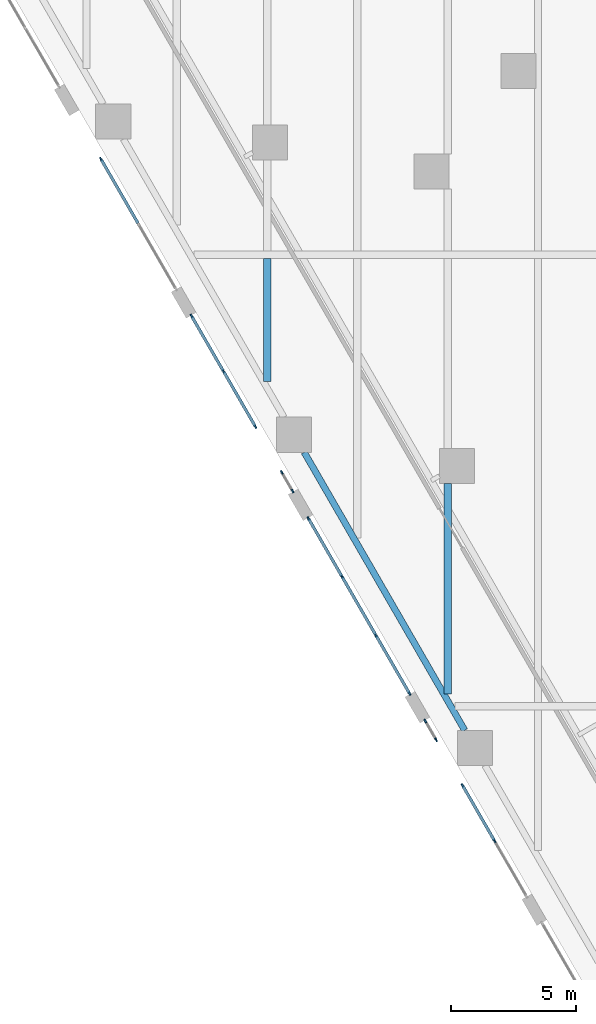
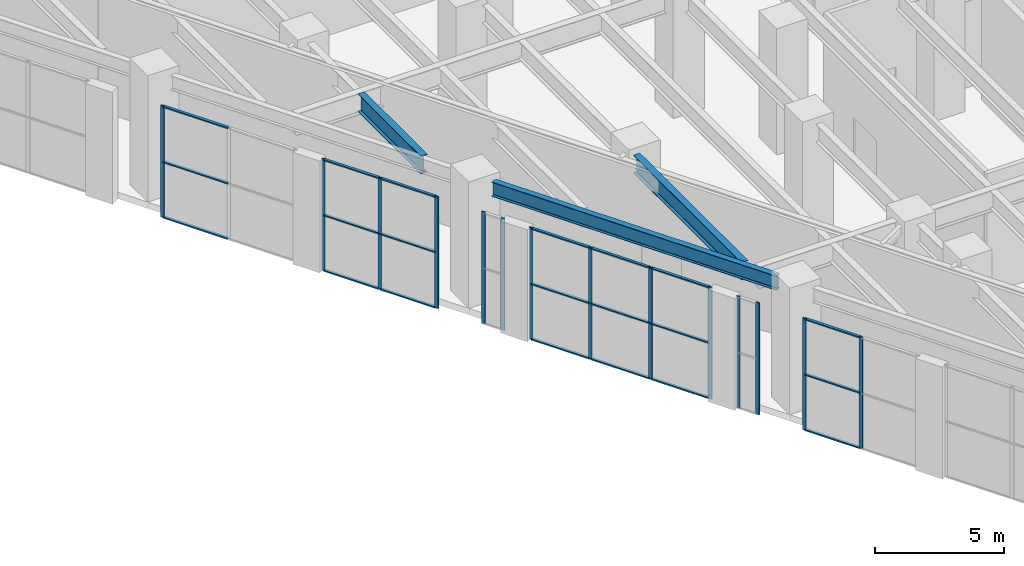
# One storey, part 6 of 37: 35 members, 3 beams, 6 elements without a shape of their own.
"""IFC4 building model written with IfcOpenShell, lengths in metres."""

from ifc_helpers import new_model, si_unit, direction, frame, origin, origin_2d, place, context, subcontext, project, spatial, rectangle, i_section, extrude, material, material_profile, profile_set, type_object, element, aggregate, save


model = new_model("IFC4")

# Units and contexts
model_context = context("Model", 3, precision=1e-05, world=origin(), true_north=direction((0.0, 1.0)))
body_context = subcontext(model_context, "Body", "Model", "MODEL_VIEW")
ifc_project = project(units=[si_unit("LENGTHUNIT", "METRE"), si_unit("AREAUNIT", "SQUARE_METRE"), si_unit("VOLUMEUNIT", "CUBIC_METRE"), si_unit("PLANEANGLEUNIT", "RADIAN"), si_unit("MASSUNIT", "GRAM", prefix="KILO")], contexts=[model_context])

# Site, building, storey
site_placement = place(None, origin())
site = spatial("IfcSite", under=ifc_project, at=site_placement, CompositionType="ELEMENT")
building_placement = place(site_placement, origin())
building = spatial("IfcBuilding", under=site, at=building_placement, Name="Aloe Facet Convention Tower", CompositionType="ELEMENT")
storey_placement = place(building_placement, frame((0.0, 0.0, 7.5)))
storey = spatial("IfcBuildingStorey", under=building, at=storey_placement, Name="L01", CompositionType="ELEMENT", Elevation=7.5)

# Curtain wall, member
ifc_material_1 = material(Name="Aluminium, anodised", Category="aluminium")
curtain_wall_type = type_object("IfcCurtainWallType", Name="EV-CW-SHOP", PredefinedType="USERDEFINED", material=ifc_material_1)
curtain_wall_1_placement = place(storey_placement, origin())
curtain_wall_1 = element("IfcCurtainWall", 1, at=curtain_wall_1_placement, inside=storey, type_object=curtain_wall_type, Name="CW-L01-W08", ObjectType="STICK SHOPFRONT GLAZING", PredefinedType="USERDEFINED")
ifc_material_2 = material(Name="Aluminium, anodised", Category="aluminium")
ifc_material_profile_1 = material_profile(ifc_material_2, rectangle(XDim=0.06005859375, YDim=0.159912109375, at=origin_2d()), Name="AL 60x160")
ifc_profile_set_1 = profile_set([ifc_material_profile_1], Name="Aluminium, anodised")
member_type_1 = type_object("IfcMemberType", Name="EV-MULL-SHOP", PredefinedType="MULLION", material=ifc_profile_set_1)
member_1_placement = place(storey_placement, frame((40.975830078125, 102.812255859375, -0.300048828125), z_axis=(0.0, 0.0, 1.0), x_axis=(0.866025403828, 0.499999999924, 0.0)))
member_1 = element("IfcMember", 2, at=member_1_placement, type_object=member_type_1, Name="CW-L01-W08 mullion 1", PredefinedType="MULLION", context=body_context, shape_type="SweptSolid", body=[
    extrude(rectangle(XDim=0.06005859375, YDim=0.159912109375, at=origin_2d()), origin(), (0.0, 0.0, 1.0), 5.3125),
])

# Curtain wall, members
curtain_wall_2_placement = place(storey_placement, origin())
curtain_wall_2 = element("IfcCurtainWall", 3, at=curtain_wall_2_placement, inside=storey, type_object=curtain_wall_type, Name="CW-L01-W10-1", ObjectType="STICK SHOPFRONT GLAZING", PredefinedType="USERDEFINED")
member_2_placement = place(storey_placement, frame((44.5849609375, 96.56103515625, -0.300048828125), z_axis=(0.0, 0.0, 1.0), x_axis=(0.866025403715, 0.500000000121, 0.0)))
member_2 = element("IfcMember", 4, at=member_2_placement, type_object=member_type_1, Name="CW-L01-W10-1 mullion 1", PredefinedType="MULLION", context=body_context, shape_type="SweptSolid", body=[
    extrude(rectangle(XDim=0.06005859375, YDim=0.159912109375, at=origin_2d()), origin(), (0.0, 0.0, 1.0), 5.3125),
])
member_3_placement = place(storey_placement, frame((45.857177734375, 94.357421875, -0.300048828125), z_axis=(0.0, 0.0, 1.0), x_axis=(0.866025403715, 0.500000000121, 0.0)))
member_3 = element("IfcMember", 5, at=member_3_placement, type_object=member_type_1, Name="CW-L01-W10-1 mullion 2", PredefinedType="MULLION", context=body_context, shape_type="SweptSolid", body=[
    extrude(rectangle(XDim=0.06005859375, YDim=0.159912109375, at=origin_2d()), origin(), (0.0, 0.0, 1.0), 5.3125),
])
member_4_placement = place(storey_placement, frame((47.12939453125, 92.15380859375, -0.300048828125), z_axis=(0.0, 0.0, 1.0), x_axis=(0.866025403715, 0.500000000121, 0.0)))
member_4 = element("IfcMember", 6, at=member_4_placement, type_object=member_type_1, Name="CW-L01-W10-1 mullion 3", PredefinedType="MULLION", context=body_context, shape_type="SweptSolid", body=[
    extrude(rectangle(XDim=0.06005859375, YDim=0.159912109375, at=origin_2d()), origin(), (0.0, 0.0, 1.0), 5.3125),
])

curtain_wall_3_placement = place(storey_placement, origin())
curtain_wall_3 = element("IfcCurtainWall", 7, at=curtain_wall_3_placement, inside=storey, type_object=curtain_wall_type, Name="CW-L01-W10-2", ObjectType="STICK SHOPFRONT GLAZING", PredefinedType="USERDEFINED")
member_5_placement = place(storey_placement, frame((48.18408203125, 90.327392578125, -0.300048828125), z_axis=(0.0, 0.0, 1.0), x_axis=(0.866025403872, 0.499999999849, 0.0)))
member_5 = element("IfcMember", 8, at=member_5_placement, type_object=member_type_1, Name="CW-L01-W10-2 mullion 1", PredefinedType="MULLION", context=body_context, shape_type="SweptSolid", body=[
    extrude(rectangle(XDim=0.06005859375, YDim=0.159912109375, at=origin_2d()), origin(), (0.0, 0.0, 1.0), 5.3125),
])
member_6_placement = place(storey_placement, frame((48.61572265625, 89.57958984375, -0.300048828125), z_axis=(0.0, 0.0, 1.0), x_axis=(0.866025403872, 0.499999999849, 0.0)))
member_6 = element("IfcMember", 9, at=member_6_placement, type_object=member_type_1, Name="CW-L01-W10-2 mullion 2", PredefinedType="MULLION", context=body_context, shape_type="SweptSolid", body=[
    extrude(rectangle(XDim=0.06005859375, YDim=0.159912109375, at=origin_2d()), origin(), (0.0, 0.0, 1.0), 5.3125),
])
aggregate(curtain_wall_3, [member_5, member_6])

curtain_wall_4_placement = place(storey_placement, origin())
curtain_wall_4 = element("IfcCurtainWall", 10, at=curtain_wall_4_placement, inside=storey, type_object=curtain_wall_type, Name="CW-L01-W12", ObjectType="STICK SHOPFRONT GLAZING", PredefinedType="USERDEFINED")
member_7_placement = place(storey_placement, frame((49.245849609375, 88.488525390625, -0.300048828125), z_axis=(0.0, 0.0, 1.0), x_axis=(0.866025403776, 0.500000000015, 0.0)))
member_7 = element("IfcMember", 11, at=member_7_placement, type_object=member_type_1, Name="CW-L01-W12 mullion 1", PredefinedType="MULLION", context=body_context, shape_type="SweptSolid", body=[
    extrude(rectangle(XDim=0.06005859375, YDim=0.159912109375, at=origin_2d()), origin(), (0.0, 0.0, 1.0), 5.3125),
])
member_8_placement = place(storey_placement, frame((50.584228515625, 86.169921875, -0.300048828125), z_axis=(0.0, 0.0, 1.0), x_axis=(0.866025403776, 0.500000000015, 0.0)))
member_8 = element("IfcMember", 12, at=member_8_placement, type_object=member_type_1, Name="CW-L01-W12 mullion 2", PredefinedType="MULLION", context=body_context, shape_type="SweptSolid", body=[
    extrude(rectangle(XDim=0.06005859375, YDim=0.159912109375, at=origin_2d()), origin(), (0.0, 0.0, 1.0), 5.3125),
])
member_9_placement = place(storey_placement, frame((51.93798828125, 83.825439453125, -0.300048828125), z_axis=(0.0, 0.0, 1.0), x_axis=(0.866025403776, 0.500000000015, 0.0)))
member_9 = element("IfcMember", 13, at=member_9_placement, type_object=member_type_1, Name="CW-L01-W12 mullion 3", PredefinedType="MULLION", context=body_context, shape_type="SweptSolid", body=[
    extrude(rectangle(XDim=0.06005859375, YDim=0.159912109375, at=origin_2d()), origin(), (0.0, 0.0, 1.0), 5.3125),
])
member_10_placement = place(storey_placement, frame((53.2763671875, 81.507080078125, -0.300048828125), z_axis=(0.0, 0.0, 1.0), x_axis=(0.866025403776, 0.500000000015, 0.0)))
member_10 = element("IfcMember", 14, at=member_10_placement, type_object=member_type_1, Name="CW-L01-W12 mullion 4", PredefinedType="MULLION", context=body_context, shape_type="SweptSolid", body=[
    extrude(rectangle(XDim=0.06005859375, YDim=0.159912109375, at=origin_2d()), origin(), (0.0, 0.0, 1.0), 5.3125),
])

curtain_wall_5_placement = place(storey_placement, origin())
curtain_wall_5 = element("IfcCurtainWall", 15, at=curtain_wall_5_placement, inside=storey, type_object=curtain_wall_type, Name="CW-L01-W14-1", ObjectType="STICK SHOPFRONT GLAZING", PredefinedType="USERDEFINED")
member_11_placement = place(storey_placement, frame((53.906494140625, 80.416015625, -0.300048828125), z_axis=(0.0, 0.0, 1.0), x_axis=(0.866025403872, 0.499999999849, 0.0)))
member_11 = element("IfcMember", 16, at=member_11_placement, type_object=member_type_1, Name="CW-L01-W14-1 mullion 1", PredefinedType="MULLION", context=body_context, shape_type="SweptSolid", body=[
    extrude(rectangle(XDim=0.06005859375, YDim=0.159912109375, at=origin_2d()), origin(), (0.0, 0.0, 1.0), 5.3125),
])
member_12_placement = place(storey_placement, frame((54.337890625, 79.668701171875, -0.300048828125), z_axis=(0.0, 0.0, 1.0), x_axis=(0.866025403872, 0.499999999849, 0.0)))
member_12 = element("IfcMember", 17, at=member_12_placement, type_object=member_type_1, Name="CW-L01-W14-1 mullion 2", PredefinedType="MULLION", context=body_context, shape_type="SweptSolid", body=[
    extrude(rectangle(XDim=0.06005859375, YDim=0.159912109375, at=origin_2d()), origin(), (0.0, 0.0, 1.0), 5.3125),
])
aggregate(curtain_wall_5, [member_11, member_12])

curtain_wall_6_placement = place(storey_placement, origin())
curtain_wall_6 = element("IfcCurtainWall", 18, at=curtain_wall_6_placement, inside=storey, type_object=curtain_wall_type, Name="CW-L01-W14-2", ObjectType="STICK SHOPFRONT GLAZING", PredefinedType="USERDEFINED")
member_13_placement = place(storey_placement, frame((55.392333984375, 77.842041015625, -0.300048828125), z_axis=(0.0, 0.0, 1.0), x_axis=(0.866025403767, 0.50000000003, 0.0)))
member_13 = element("IfcMember", 19, at=member_13_placement, type_object=member_type_1, Name="CW-L01-W14-2 mullion 1", PredefinedType="MULLION", context=body_context, shape_type="SweptSolid", body=[
    extrude(rectangle(XDim=0.06005859375, YDim=0.159912109375, at=origin_2d()), origin(), (0.0, 0.0, 1.0), 5.3125),
])
member_14_placement = place(storey_placement, frame((56.664794921875, 75.638427734375, -0.300048828125), z_axis=(0.0, 0.0, 1.0), x_axis=(0.866025403767, 0.50000000003, 0.0)))
member_14 = element("IfcMember", 20, at=member_14_placement, type_object=member_type_1, Name="CW-L01-W14-2 mullion 2", PredefinedType="MULLION", context=body_context, shape_type="SweptSolid", body=[
    extrude(rectangle(XDim=0.06005859375, YDim=0.159912109375, at=origin_2d()), origin(), (0.0, 0.0, 1.0), 5.3125),
])

# Member
ifc_material_3 = material(Name="Aluminium, anodised", Category="aluminium")
ifc_material_profile_2 = material_profile(ifc_material_3, rectangle(XDim=0.1201171875, YDim=0.06005859375, at=origin_2d()), Name="AL 120x60")
ifc_profile_set_2 = profile_set([ifc_material_profile_2], Name="Aluminium, anodised")
member_type_2 = type_object("IfcMemberType", Name="EV-TRAN-SHOP", PredefinedType="USERDEFINED", material=ifc_profile_set_2)
member_15_placement = place(storey_placement, frame((40.99072265625, 102.786376953125, -0.27001953125), z_axis=(0.500033742649, -0.86600592158, 0.0), x_axis=(0.86600592158, 0.500033742649, 0.0)))
member_15 = element("IfcMember", 21, at=member_15_placement, type_object=member_type_2, Name="CW-L01-W08 transom 1.1", ObjectType="TRANSOM", PredefinedType="USERDEFINED", context=body_context, shape_type="SweptSolid", body=[
    extrude(rectangle(XDim=0.1201171875, YDim=0.06005859375, at=origin_2d()), origin(), (0.0, 0.0, 1.0), 2.919189453125),
])

member_16_placement = place(storey_placement, frame((40.99072265625, 102.786376953125, 2.356201171875), z_axis=(0.500033742649, -0.86600592158, 0.0), x_axis=(0.86600592158, 0.500033742649, 0.0)))
member_16 = element("IfcMember", 22, at=member_16_placement, type_object=member_type_2, Name="CW-L01-W08 transom 1.2", ObjectType="TRANSOM", PredefinedType="USERDEFINED", context=body_context, shape_type="SweptSolid", body=[
    extrude(rectangle(XDim=0.1201171875, YDim=0.06005859375, at=origin_2d()), origin(), (0.0, 0.0, 1.0), 2.919189453125),
])

member_17_placement = place(storey_placement, frame((40.99072265625, 102.786376953125, 4.982421875), z_axis=(0.500033742649, -0.86600592158, 0.0), x_axis=(0.86600592158, 0.500033742649, 0.0)))
member_17 = element("IfcMember", 23, at=member_17_placement, type_object=member_type_2, Name="CW-L01-W08 transom 1.3", ObjectType="TRANSOM", PredefinedType="USERDEFINED", context=body_context, shape_type="SweptSolid", body=[
    extrude(rectangle(XDim=0.1201171875, YDim=0.06005859375, at=origin_2d()), origin(), (0.0, 0.0, 1.0), 2.919189453125),
])

aggregate(curtain_wall_1, [member_1, member_15, member_16, member_17])

member_18_placement = place(storey_placement, frame((44.60009765625, 96.534912109375, -0.27001953125), z_axis=(0.500028703312, -0.866008831286, 0.0), x_axis=(0.866008831286, 0.500028703312, 0.0)))
member_18 = element("IfcMember", 24, at=member_18_placement, type_object=member_type_2, Name="CW-L01-W10-1 transom 1.1", ObjectType="TRANSOM", PredefinedType="USERDEFINED", context=body_context, shape_type="SweptSolid", body=[
    extrude(rectangle(XDim=0.1201171875, YDim=0.06005859375, at=origin_2d()), origin(), (0.0, 0.0, 1.0), 2.484130859375),
])

member_19_placement = place(storey_placement, frame((44.60009765625, 96.534912109375, 2.356201171875), z_axis=(0.500028703312, -0.866008831286, 0.0), x_axis=(0.866008831286, 0.500028703312, 0.0)))
member_19 = element("IfcMember", 25, at=member_19_placement, type_object=member_type_2, Name="CW-L01-W10-1 transom 1.2", ObjectType="TRANSOM", PredefinedType="USERDEFINED", context=body_context, shape_type="SweptSolid", body=[
    extrude(rectangle(XDim=0.1201171875, YDim=0.06005859375, at=origin_2d()), origin(), (0.0, 0.0, 1.0), 2.484130859375),
])

member_20_placement = place(storey_placement, frame((44.60009765625, 96.534912109375, 4.982421875), z_axis=(0.500028703312, -0.866008831286, 0.0), x_axis=(0.866008831286, 0.500028703312, 0.0)))
member_20 = element("IfcMember", 26, at=member_20_placement, type_object=member_type_2, Name="CW-L01-W10-1 transom 1.3", ObjectType="TRANSOM", PredefinedType="USERDEFINED", context=body_context, shape_type="SweptSolid", body=[
    extrude(rectangle(XDim=0.1201171875, YDim=0.06005859375, at=origin_2d()), origin(), (0.0, 0.0, 1.0), 2.484130859375),
])

member_21_placement = place(storey_placement, frame((45.872314453125, 94.33154296875, -0.27001953125), z_axis=(0.499986149909, -0.86603339999, 0.0), x_axis=(0.86603339999, 0.499986149909, 0.0)))
member_21 = element("IfcMember", 27, at=member_21_placement, type_object=member_type_2, Name="CW-L01-W10-1 transom 2.1", ObjectType="TRANSOM", PredefinedType="USERDEFINED", context=body_context, shape_type="SweptSolid", body=[
    extrude(rectangle(XDim=0.1201171875, YDim=0.06005859375, at=origin_2d()), origin(), (0.0, 0.0, 1.0), 2.484375),
])

member_22_placement = place(storey_placement, frame((45.872314453125, 94.33154296875, 2.356201171875), z_axis=(0.499986149909, -0.86603339999, 0.0), x_axis=(0.86603339999, 0.499986149909, 0.0)))
member_22 = element("IfcMember", 28, at=member_22_placement, type_object=member_type_2, Name="CW-L01-W10-1 transom 2.2", ObjectType="TRANSOM", PredefinedType="USERDEFINED", context=body_context, shape_type="SweptSolid", body=[
    extrude(rectangle(XDim=0.1201171875, YDim=0.06005859375, at=origin_2d()), origin(), (0.0, 0.0, 1.0), 2.484375),
])

member_23_placement = place(storey_placement, frame((45.872314453125, 94.33154296875, 4.982421875), z_axis=(0.499986149909, -0.86603339999, 0.0), x_axis=(0.86603339999, 0.499986149909, 0.0)))
member_23 = element("IfcMember", 29, at=member_23_placement, type_object=member_type_2, Name="CW-L01-W10-1 transom 2.3", ObjectType="TRANSOM", PredefinedType="USERDEFINED", context=body_context, shape_type="SweptSolid", body=[
    extrude(rectangle(XDim=0.1201171875, YDim=0.06005859375, at=origin_2d()), origin(), (0.0, 0.0, 1.0), 2.484375),
])

aggregate(curtain_wall_2, [member_2, member_3, member_4, member_18, member_19, member_20, member_21, member_22, member_23])

member_24_placement = place(storey_placement, frame((49.2607421875, 88.46240234375, -0.27001953125), z_axis=(0.500032006216, -0.866006924198, 0.0), x_axis=(0.866006924198, 0.500032006216, 0.0)))
member_24 = element("IfcMember", 30, at=member_24_placement, type_object=member_type_2, Name="CW-L01-W12 transom 1.1", ObjectType="TRANSOM", PredefinedType="USERDEFINED", context=body_context, shape_type="SweptSolid", body=[
    extrude(rectangle(XDim=0.1201171875, YDim=0.06005859375, at=origin_2d()), origin(), (0.0, 0.0, 1.0), 2.616943359375),
])

member_25_placement = place(storey_placement, frame((49.2607421875, 88.46240234375, 2.356201171875), z_axis=(0.500032006216, -0.866006924198, 0.0), x_axis=(0.866006924198, 0.500032006216, 0.0)))
member_25 = element("IfcMember", 31, at=member_25_placement, type_object=member_type_2, Name="CW-L01-W12 transom 1.2", ObjectType="TRANSOM", PredefinedType="USERDEFINED", context=body_context, shape_type="SweptSolid", body=[
    extrude(rectangle(XDim=0.1201171875, YDim=0.06005859375, at=origin_2d()), origin(), (0.0, 0.0, 1.0), 2.616943359375),
])

member_26_placement = place(storey_placement, frame((49.2607421875, 88.46240234375, 4.982421875), z_axis=(0.500032006216, -0.866006924198, 0.0), x_axis=(0.866006924198, 0.500032006216, 0.0)))
member_26 = element("IfcMember", 32, at=member_26_placement, type_object=member_type_2, Name="CW-L01-W12 transom 1.3", ObjectType="TRANSOM", PredefinedType="USERDEFINED", context=body_context, shape_type="SweptSolid", body=[
    extrude(rectangle(XDim=0.1201171875, YDim=0.06005859375, at=origin_2d()), origin(), (0.0, 0.0, 1.0), 2.616943359375),
])

member_27_placement = place(storey_placement, frame((50.599365234375, 86.14404296875, -0.27001953125), z_axis=(0.499977931934, -0.866038144413, 0.0), x_axis=(0.866038144413, 0.499977931934, 0.0)))
member_27 = element("IfcMember", 33, at=member_27_placement, type_object=member_type_2, Name="CW-L01-W12 transom 2.1", ObjectType="TRANSOM", PredefinedType="USERDEFINED", context=body_context, shape_type="SweptSolid", body=[
    extrude(rectangle(XDim=0.1201171875, YDim=0.06005859375, at=origin_2d()), origin(), (0.0, 0.0, 1.0), 2.64697265625),
])

member_28_placement = place(storey_placement, frame((50.599365234375, 86.14404296875, 2.356201171875), z_axis=(0.499977931934, -0.866038144413, 0.0), x_axis=(0.866038144413, 0.499977931934, 0.0)))
member_28 = element("IfcMember", 34, at=member_28_placement, type_object=member_type_2, Name="CW-L01-W12 transom 2.2", ObjectType="TRANSOM", PredefinedType="USERDEFINED", context=body_context, shape_type="SweptSolid", body=[
    extrude(rectangle(XDim=0.1201171875, YDim=0.06005859375, at=origin_2d()), origin(), (0.0, 0.0, 1.0), 2.64697265625),
])

member_29_placement = place(storey_placement, frame((50.599365234375, 86.14404296875, 4.982421875), z_axis=(0.499977931934, -0.866038144413, 0.0), x_axis=(0.866038144413, 0.499977931934, 0.0)))
member_29 = element("IfcMember", 35, at=member_29_placement, type_object=member_type_2, Name="CW-L01-W12 transom 2.3", ObjectType="TRANSOM", PredefinedType="USERDEFINED", context=body_context, shape_type="SweptSolid", body=[
    extrude(rectangle(XDim=0.1201171875, YDim=0.06005859375, at=origin_2d()), origin(), (0.0, 0.0, 1.0), 2.64697265625),
])

member_30_placement = place(storey_placement, frame((51.952880859375, 83.799560546875, -0.27001953125), z_axis=(0.49999161165, -0.866030246746, 0.0), x_axis=(0.866030246746, 0.49999161165, 0.0)))
member_30 = element("IfcMember", 36, at=member_30_placement, type_object=member_type_2, Name="CW-L01-W12 transom 3.1", ObjectType="TRANSOM", PredefinedType="USERDEFINED", context=body_context, shape_type="SweptSolid", body=[
    extrude(rectangle(XDim=0.1201171875, YDim=0.06005859375, at=origin_2d()), origin(), (0.0, 0.0, 1.0), 2.6171875),
])

member_31_placement = place(storey_placement, frame((51.952880859375, 83.799560546875, 2.356201171875), z_axis=(0.49999161165, -0.866030246746, 0.0), x_axis=(0.866030246746, 0.49999161165, 0.0)))
member_31 = element("IfcMember", 37, at=member_31_placement, type_object=member_type_2, Name="CW-L01-W12 transom 3.2", ObjectType="TRANSOM", PredefinedType="USERDEFINED", context=body_context, shape_type="SweptSolid", body=[
    extrude(rectangle(XDim=0.1201171875, YDim=0.06005859375, at=origin_2d()), origin(), (0.0, 0.0, 1.0), 2.6171875),
])

member_32_placement = place(storey_placement, frame((51.952880859375, 83.799560546875, 4.982421875), z_axis=(0.49999161165, -0.866030246746, 0.0), x_axis=(0.866030246746, 0.49999161165, 0.0)))
member_32 = element("IfcMember", 38, at=member_32_placement, type_object=member_type_2, Name="CW-L01-W12 transom 3.3", ObjectType="TRANSOM", PredefinedType="USERDEFINED", context=body_context, shape_type="SweptSolid", body=[
    extrude(rectangle(XDim=0.1201171875, YDim=0.06005859375, at=origin_2d()), origin(), (0.0, 0.0, 1.0), 2.6171875),
])

aggregate(curtain_wall_4, [member_7, member_8, member_9, member_10, member_24, member_25, member_26, member_27, member_28, member_29, member_30, member_31, member_32])

member_33_placement = place(storey_placement, frame((55.407470703125, 77.816162109375, -0.27001953125), z_axis=(0.499943602543, -0.866057962423, 0.0), x_axis=(0.866057962423, 0.499943602543, 0.0)))
member_33 = element("IfcMember", 39, at=member_33_placement, type_object=member_type_2, Name="CW-L01-W14-2 transom 1.1", ObjectType="TRANSOM", PredefinedType="USERDEFINED", context=body_context, shape_type="SweptSolid", body=[
    extrude(rectangle(XDim=0.1201171875, YDim=0.06005859375, at=origin_2d()), origin(), (0.0, 0.0, 1.0), 2.484619140625),
])

member_34_placement = place(storey_placement, frame((55.407470703125, 77.816162109375, 2.356201171875), z_axis=(0.499943602543, -0.866057962423, 0.0), x_axis=(0.866057962423, 0.499943602543, 0.0)))
member_34 = element("IfcMember", 40, at=member_34_placement, type_object=member_type_2, Name="CW-L01-W14-2 transom 1.2", ObjectType="TRANSOM", PredefinedType="USERDEFINED", context=body_context, shape_type="SweptSolid", body=[
    extrude(rectangle(XDim=0.1201171875, YDim=0.06005859375, at=origin_2d()), origin(), (0.0, 0.0, 1.0), 2.484619140625),
])

member_35_placement = place(storey_placement, frame((55.407470703125, 77.816162109375, 4.982421875), z_axis=(0.499943602543, -0.866057962423, 0.0), x_axis=(0.866057962423, 0.499943602543, 0.0)))
member_35 = element("IfcMember", 41, at=member_35_placement, type_object=member_type_2, Name="CW-L01-W14-2 transom 1.3", ObjectType="TRANSOM", PredefinedType="USERDEFINED", context=body_context, shape_type="SweptSolid", body=[
    extrude(rectangle(XDim=0.1201171875, YDim=0.06005859375, at=origin_2d()), origin(), (0.0, 0.0, 1.0), 2.484619140625),
])

aggregate(curtain_wall_6, [member_13, member_14, member_33, member_34, member_35])

# Beams
ifc_material_4 = material(Name="Steel S355", Category="steel")
ifc_material_profile_3 = material_profile(ifc_material_4, i_section(OverallWidth=0.25439453125, OverallDepth=0.6875, WebThickness=0.01318359375, FlangeThickness=0.02099609375, FilletRadius=0.01513671875, at=origin_2d()), Name="UB 686x254x152")
ifc_profile_set_3 = profile_set([ifc_material_profile_3], Name="Steel S355")
beam_type_1 = type_object("IfcBeamType", Name="SF-B-UB686x254x152", PredefinedType="BEAM", material=ifc_profile_set_3)
beam_1_placement = place(storey_placement, frame((55.478515625, 80.04296875, 5.356201171875), z_axis=(-0.499999833739, 0.866025499775, 0.0), x_axis=(-0.866025499775, -0.499999833739, 0.0)))
element("IfcBeam", 42, at=beam_1_placement, inside=storey, type_object=beam_type_1, Name="Floor beam FB-L02-011", PredefinedType="BEAM", context=body_context, shape_type="SweptSolid", body=[
    extrude(i_section(OverallWidth=0.25439453125, OverallDepth=0.6875, WebThickness=0.01318359375, FlangeThickness=0.02099609375, FilletRadius=0.01513671875, at=origin_2d()), origin(), (0.0, 0.0, 1.0), 12.7998046875),
])
ifc_material_5 = material(Name="Steel S355", Category="steel")
ifc_material_profile_4 = material_profile(ifc_material_5, i_section(OverallWidth=0.293701171875, OverallDepth=0.850830078125, WebThickness=0.01611328125, FlangeThickness=0.02685546875, FilletRadius=0.017822265625, at=origin_2d()), Name="UB 838x292x226")
ifc_profile_set_4 = profile_set([ifc_material_profile_4], Name="Steel S355")
beam_type_2 = type_object("IfcBeamType", Name="SF-B-UB838x292x226", PredefinedType="BEAM", material=ifc_profile_set_4)
beam_2_placement = place(storey_placement, frame((47.60009765625, 93.95361328125, 5.2744140625), z_axis=(0.0, 1.0, 0.0), x_axis=(-1.0, 0.0, 0.0)))
element("IfcBeam", 43, at=beam_2_placement, inside=storey, type_object=beam_type_2, Name="Floor beam FB-L02-060", PredefinedType="BEAM", context=body_context, shape_type="SweptSolid", body=[
    extrude(i_section(OverallWidth=0.293701171875, OverallDepth=0.850830078125, WebThickness=0.01611328125, FlangeThickness=0.02685546875, FilletRadius=0.017822265625, at=origin_2d()), origin(), (0.0, 0.0, 1.0), 4.893798828125),
])
beam_3_placement = place(storey_placement, frame((54.800048828125, 81.482666015625, 5.2744140625), z_axis=(0.0, 1.0, 0.0), x_axis=(-1.0, 0.0, 0.0)))
element("IfcBeam", 44, at=beam_3_placement, inside=storey, type_object=beam_type_2, Name="Floor beam FB-L02-067", PredefinedType="BEAM", context=body_context, shape_type="SweptSolid", body=[
    extrude(i_section(OverallWidth=0.293701171875, OverallDepth=0.850830078125, WebThickness=0.01611328125, FlangeThickness=0.02685546875, FilletRadius=0.017822265625, at=origin_2d()), origin(), (0.0, 0.0, 1.0), 8.40234375),
])

save(model, "model.ifc")
